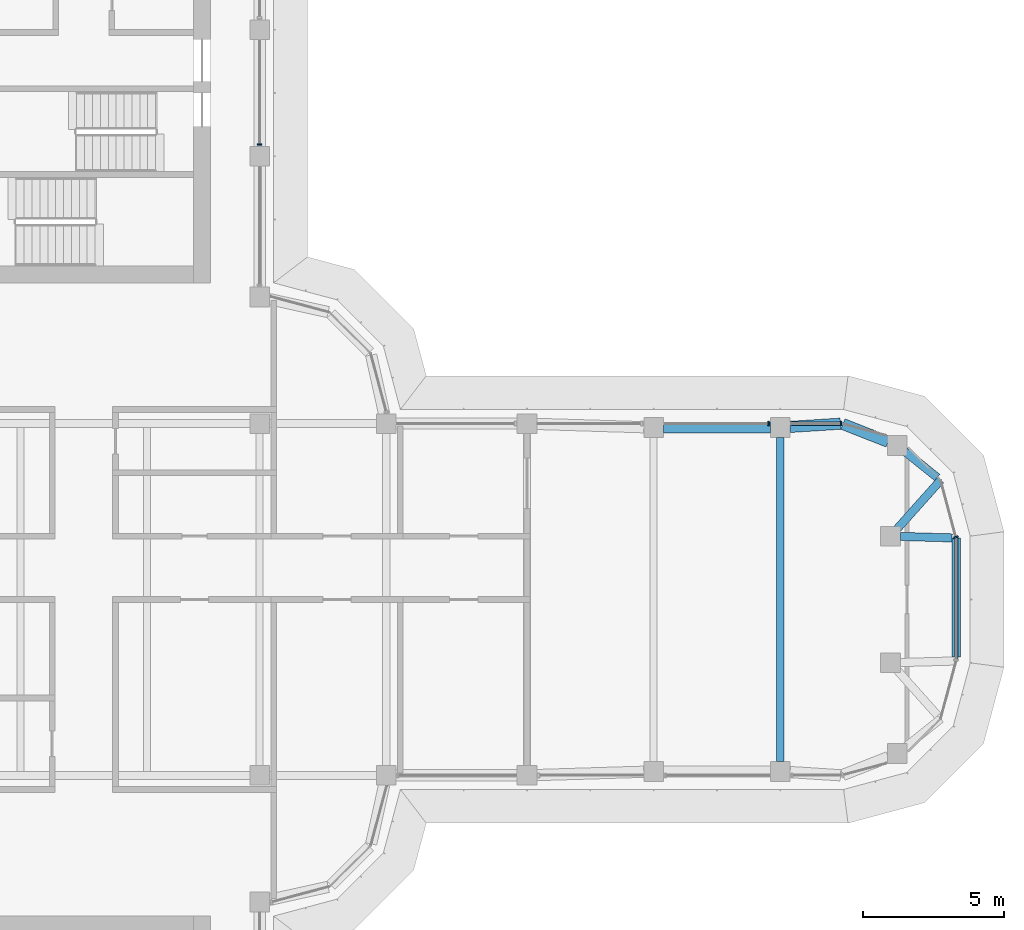
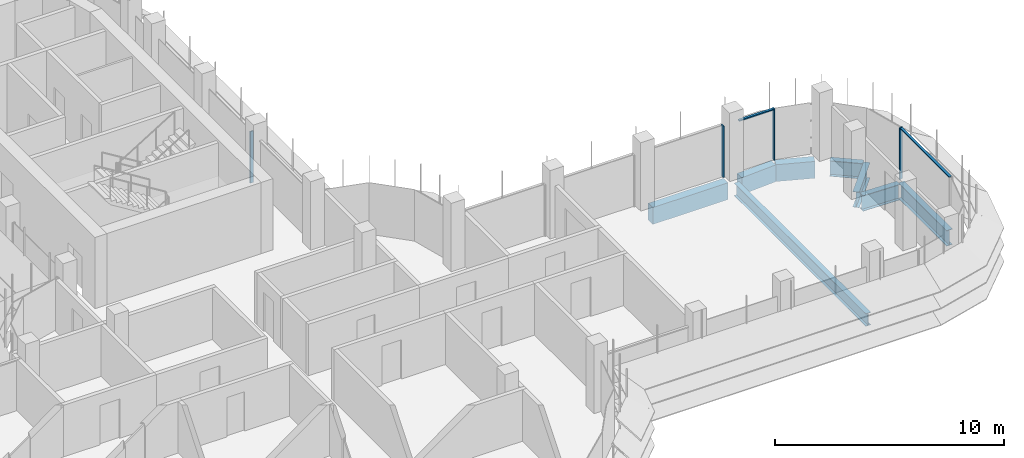
# One storey, part 9 of 18: 8 beams, 6 members, 4 elements without a shape of their own.
"""IFC4 building model written with IfcOpenShell, lengths in metres."""

from ifc_helpers import new_model, si_unit, direction, frame, origin, origin_2d, place, context, subcontext, project, spatial, polyline, rectangle, i_section, outline, extrude, source, transform, mapped, material, material_profile, profile_set, type_object, element, aggregate, save


model = new_model("IFC4")

# Units and contexts
model_context = context("Model", 3, precision=1e-05, world=origin(), true_north=direction((0.0, 1.0)))
body_context = subcontext(model_context, "Body", "Model", "MODEL_VIEW")
ifc_project = project(units=[si_unit("LENGTHUNIT", "METRE"), si_unit("AREAUNIT", "SQUARE_METRE"), si_unit("VOLUMEUNIT", "CUBIC_METRE"), si_unit("PLANEANGLEUNIT", "RADIAN"), si_unit("MASSUNIT", "GRAM", prefix="KILO")], contexts=[model_context])

# Site, building, storey
site_placement = place(None, origin())
site = spatial("IfcSite", under=ifc_project, at=site_placement, CompositionType="ELEMENT")
building_placement = place(site_placement, origin())
building = spatial("IfcBuilding", under=site, at=building_placement, Name="Zarbagh Exchange Tower", CompositionType="ELEMENT")
storey_placement = place(building_placement, frame((0.0, 0.0, 206.800048828125)))
storey = spatial("IfcBuildingStorey", under=building, at=storey_placement, Name="L50", CompositionType="ELEMENT", Elevation=206.800048828125)

# Beams
ifc_material_1 = material(Name="Steel ASTM A992 Gr 50", Category="steel")
ifc_material_profile_1 = material_profile(ifc_material_1, i_section(OverallWidth=0.25390625, OverallDepth=0.67822265625, WebThickness=0.01171875, FlangeThickness=0.016357421875, at=origin_2d()), Name="W27X84")
ifc_profile_set_1 = profile_set([ifc_material_profile_1], Name="Steel ASTM A992 Gr 50")
beam_type_1 = type_object("IfcBeamType", Name="Floor beam W27X84", PredefinedType="BEAM", material=ifc_profile_set_1)
beam_1_placement = place(storey_placement, frame((24.75, -5.760009765625, -0.4892578125), z_axis=(0.0, 1.0, 0.0), x_axis=(-1.0, 0.0, 0.0)))
element("IfcBeam", 1, at=beam_1_placement, inside=storey, type_object=beam_type_1, Name="Steel floor beam", PredefinedType="BEAM", context=body_context, shape_type="SweptSolid", body=[
    extrude(i_section(OverallWidth=0.25390625, OverallDepth=0.67822265625, WebThickness=0.01171875, FlangeThickness=0.016357421875, at=origin_2d()), origin(), (0.0, 0.0, 1.0), 11.52001953125),
])
ifc_material_profile_2 = material_profile(ifc_material_1, i_section(OverallWidth=0.2919921875, OverallDepth=0.835693359375, WebThickness=0.013916015625, FlangeThickness=0.018798828125, at=origin_2d()), Name="W33X118")
ifc_profile_set_2 = profile_set([ifc_material_profile_2], Name="Steel ASTM A992 Gr 50")
beam_type_2 = type_object("IfcBeamType", Name="Floor girder W33X118", PredefinedType="BEAM", material=ifc_profile_set_2)
beam_2_placement = place(storey_placement, frame((29.18115234375, 5.256103515625, -0.56787109375), z_axis=(0.780625690962, -0.624998824487, 0.0), x_axis=(0.624998824487, 0.780625690962, 0.0)))
element("IfcBeam", 2, at=beam_2_placement, inside=storey, type_object=beam_type_2, Name="Steel girder", PredefinedType="BEAM", context=body_context, shape_type="SweptSolid", body=[
    extrude(i_section(OverallWidth=0.2919921875, OverallDepth=0.835693359375, WebThickness=0.013916015625, FlangeThickness=0.018798828125, at=origin_2d()), origin(), (0.0, 0.0, 1.0), 1.469970703125),
])
beam_3_placement = place(storey_placement, frame((30.44873046875, 4.2412109375, -0.56787109375), z_axis=(-0.66615169279, -0.745816279115, 0.0), x_axis=(0.745816279115, -0.66615169279, 0.0)))
element("IfcBeam", 3, at=beam_3_placement, inside=storey, type_object=beam_type_2, Name="Steel girder", PredefinedType="BEAM", context=body_context, shape_type="SweptSolid", body=[
    extrude(i_section(OverallWidth=0.2919921875, OverallDepth=0.835693359375, WebThickness=0.013916015625, FlangeThickness=0.018798828125, at=origin_2d()), origin(), (0.0, 0.0, 1.0), 2.31982421875),
])
beam_4_placement = place(storey_placement, frame((29.02001953125, 2.239990234375, -0.56787109375), z_axis=(0.999603805015, -0.028146633904, 0.0), x_axis=(0.028146633904, 0.999603805015, 0.0)))
element("IfcBeam", 4, at=beam_4_placement, inside=storey, type_object=beam_type_2, Name="Steel girder", PredefinedType="BEAM", context=body_context, shape_type="SweptSolid", body=[
    extrude(i_section(OverallWidth=0.2919921875, OverallDepth=0.835693359375, WebThickness=0.013916015625, FlangeThickness=0.018798828125, at=origin_2d()), origin(), (0.0, 0.0, 1.0), 1.8388671875),
])
beam_5_placement = place(storey_placement, frame((31.0, 2.18408203125, -0.56787109375), z_axis=(0.0, -1.0, 0.0), x_axis=(1.0, 0.0, 0.0)))
element("IfcBeam", 5, at=beam_5_placement, inside=storey, type_object=beam_type_2, Name="Steel girder", PredefinedType="BEAM", context=body_context, shape_type="SweptSolid", body=[
    extrude(i_section(OverallWidth=0.2919921875, OverallDepth=0.835693359375, WebThickness=0.013916015625, FlangeThickness=0.018798828125, at=origin_2d()), origin(), (0.0, 0.0, 1.0), 4.226318359375),
])
ifc_material_2 = material(Name="Concrete C50/60", Category="concrete")
ifc_material_profile_3 = material_profile(ifc_material_2, rectangle(XDim=0.39990234375, YDim=0.89990234375, at=origin_2d()), Name="RC spandrel beam 400 x 900 C50/60")
ifc_profile_set_3 = profile_set([ifc_material_profile_3], Name="Concrete C50/60")
beam_type_3 = type_object("IfcBeamType", Name="RC spandrel beam 400 x 900 C50/60", PredefinedType="SPANDREL", material=ifc_profile_set_3)
beam_6_placement = place(storey_placement, frame((20.60009765625, 6.110107421875, -0.60009765625), z_axis=(1.0, 0.0, 0.0), x_axis=(0.0, 1.0, 0.0)))
element("IfcBeam", 6, at=beam_6_placement, inside=storey, type_object=beam_type_3, Name="RC spandrel beam", PredefinedType="SPANDREL", context=body_context, shape_type="SweptSolid", body=[
    extrude(rectangle(XDim=0.39990234375, YDim=0.89990234375, at=origin_2d()), origin(), (0.0, 0.0, 1.0), 3.7998046875),
])
beam_7_placement = place(storey_placement, frame((25.099365234375, 6.13232421875, -0.60009765625), z_axis=(0.997943601797, 0.064098109429, 0.0), x_axis=(-0.064098109429, 0.997943601797, 0.0)))
element("IfcBeam", 7, at=beam_7_placement, inside=storey, type_object=beam_type_3, Name="RC spandrel beam", PredefinedType="SPANDREL", context=body_context, shape_type="SweptSolid", body=[
    extrude(rectangle(XDim=0.39990234375, YDim=0.89990234375, at=origin_2d()), origin(), (0.0, 0.0, 1.0), 1.7939453125),
])
beam_8_placement = place(storey_placement, frame((26.9755859375, 6.233642578125, -0.60009765625), z_axis=(0.930818525178, -0.365481700207, 0.0), x_axis=(0.365481700207, 0.930818525178, 0.0)))
element("IfcBeam", 8, at=beam_8_placement, inside=storey, type_object=beam_type_3, Name="RC spandrel beam", PredefinedType="SPANDREL", context=body_context, shape_type="SweptSolid", body=[
    extrude(rectangle(XDim=0.39990234375, YDim=0.89990234375, at=origin_2d()), origin(), (0.0, 0.0, 1.0), 1.72607421875),
])

# Curtain wall, member
ifc_material_3 = material(Name="Anodised aluminium frame and glazing", Category="aluminium")
curtain_wall_type = type_object("IfcCurtainWallType", Name="CWB Ribbon glazing, upper zones", PredefinedType="NOTDEFINED", material=ifc_material_3)
curtain_wall_1_placement = place(storey_placement, origin())
curtain_wall_1 = element("IfcCurtainWall", 9, at=curtain_wall_1_placement, inside=storey, type_object=curtain_wall_type, Name="CWB13 curtain wall", PredefinedType="NOTDEFINED")
ifc_material_4 = material(Name="Anodised aluminium frame", Category="aluminium")
member_type_1 = type_object("IfcMemberType", Name="MUB Mullion, anodised aluminium frame", PredefinedType="MULLION", material=ifc_material_4)
shared_shape_1 = source(origin(), body_context, "Body", "SweptSolid", [
    extrude(outline(polyline([(0.0, -0.080078125), (0.06005859375, -0.080078125), (0.06005859375, 0.080078125), (0.0, 0.080078125), (0.0, -0.080078125)])), origin(), (0.0, 0.0, 1.0), 2.75),
])
placement = place(storey_placement, origin())
member_1 = element("IfcMember", 10, at=placement, type_object=member_type_1, Name="CWB13 mullion 1.1", PredefinedType="MULLION", context=body_context, shape_type="MappedRepresentation", body=[
    mapped(shared_shape_1, transform((31.0, 2.18408203125, 0.0), x_axis=(-0.258824779902, 0.965924289636, 0.0), y_axis=(-0.965924289636, -0.258824779902, 0.0), z_axis=(0.0, 0.0, 1.0))),
])
aggregate(curtain_wall_1, [member_1])

# Curtain wall, members
curtain_wall_2_placement = place(storey_placement, origin())
curtain_wall_2 = element("IfcCurtainWall", 11, at=curtain_wall_2_placement, inside=storey, type_object=curtain_wall_type, Name="CWB16 curtain wall", PredefinedType="NOTDEFINED")
member_2 = element("IfcMember", 12, at=placement, type_object=member_type_1, Name="CWB16 mullion 1.1", PredefinedType="MULLION", context=body_context, shape_type="MappedRepresentation", body=[
    mapped(shared_shape_1, transform((26.93408203125, 6.25, 0.0), x_axis=(-1.0, 0.0, 0.0), y_axis=(0.0, -1.0, 0.0), z_axis=(0.0, 0.0, 1.0))),
])
member_3 = element("IfcMember", 13, at=placement, type_object=member_type_1, Name="CWB16 mullion 2.1", PredefinedType="MULLION", context=body_context, shape_type="MappedRepresentation", body=[
    mapped(shared_shape_1, transform((24.35986328125, 6.25, 0.0), x_axis=(-1.0, 0.0, 0.0), y_axis=(0.0, -1.0, 0.0), z_axis=(0.0, 0.0, 1.0))),
])

# Curtain wall, member
curtain_wall_3_placement = place(storey_placement, origin())
curtain_wall_3 = element("IfcCurtainWall", 14, at=curtain_wall_3_placement, inside=storey, type_object=curtain_wall_type, Name="CWB20 curtain wall", PredefinedType="NOTDEFINED")
member_4 = element("IfcMember", 15, at=placement, type_object=member_type_1, Name="CWB20 mullion 2.1", PredefinedType="MULLION", context=body_context, shape_type="MappedRepresentation", body=[
    mapped(shared_shape_1, transform((6.25, 16.14013671875, 0.0), x_axis=(0.0, 1.0, 0.0), y_axis=(-1.0, 0.0, 0.0), z_axis=(0.0, 0.0, 1.0))),
])
aggregate(curtain_wall_3, [member_4])

# Member
member_type_2 = type_object("IfcMemberType", Name="TRB Transom, anodised aluminium frame", PredefinedType="USERDEFINED", material=ifc_material_4)
shared_shape_2 = source(origin(), body_context, "Body", "SweptSolid", [
    extrude(outline(polyline([(-0.06005859375, -0.06005859375), (0.0, -0.06005859375), (0.0, 0.06005859375), (-0.06005859375, 0.06005859375), (-0.06005859375, -0.06005859375)])), origin(), (0.0, 0.0, 1.0), 1.734130859375),
])
member_5 = element("IfcMember", 16, at=placement, type_object=member_type_2, Name="CWB16 transom 1.1", ObjectType="TRANSOM", PredefinedType="USERDEFINED", context=body_context, shape_type="MappedRepresentation", body=[
    mapped(shared_shape_2, transform((26.874267578125, 6.25, 2.75), x_axis=(0.0, 0.0, 1.0), y_axis=(0.0, 1.0, 0.0), z_axis=(-1.0, 0.0, 0.0))),
])

aggregate(curtain_wall_2, [member_2, member_5, member_3])

# Curtain wall, member
curtain_wall_4_placement = place(storey_placement, origin())
curtain_wall_4 = element("IfcCurtainWall", 17, at=curtain_wall_4_placement, inside=storey, type_object=curtain_wall_type, Name="CWB12 curtain wall", PredefinedType="NOTDEFINED")
shared_shape_3 = source(origin(), body_context, "Body", "SweptSolid", [
    extrude(outline(polyline([(-0.06005859375, -0.06005859375), (0.0, -0.06005859375), (0.0, 0.06005859375), (-0.06005859375, 0.06005859375), (-0.06005859375, -0.06005859375)])), origin(), (0.0, 0.0, 1.0), 4.308349609375),
])
member_6 = element("IfcMember", 18, at=placement, type_object=member_type_2, Name="CWB12 transom 1.1", ObjectType="TRANSOM", PredefinedType="USERDEFINED", context=body_context, shape_type="MappedRepresentation", body=[
    mapped(shared_shape_3, transform((31.0, -2.124267578125, 2.75), x_axis=(0.0, 0.0, 1.0), y_axis=(1.0, 0.0, 0.0), z_axis=(0.0, 1.0, 0.0))),
])
aggregate(curtain_wall_4, [member_6])

save(model, "model.ifc")
